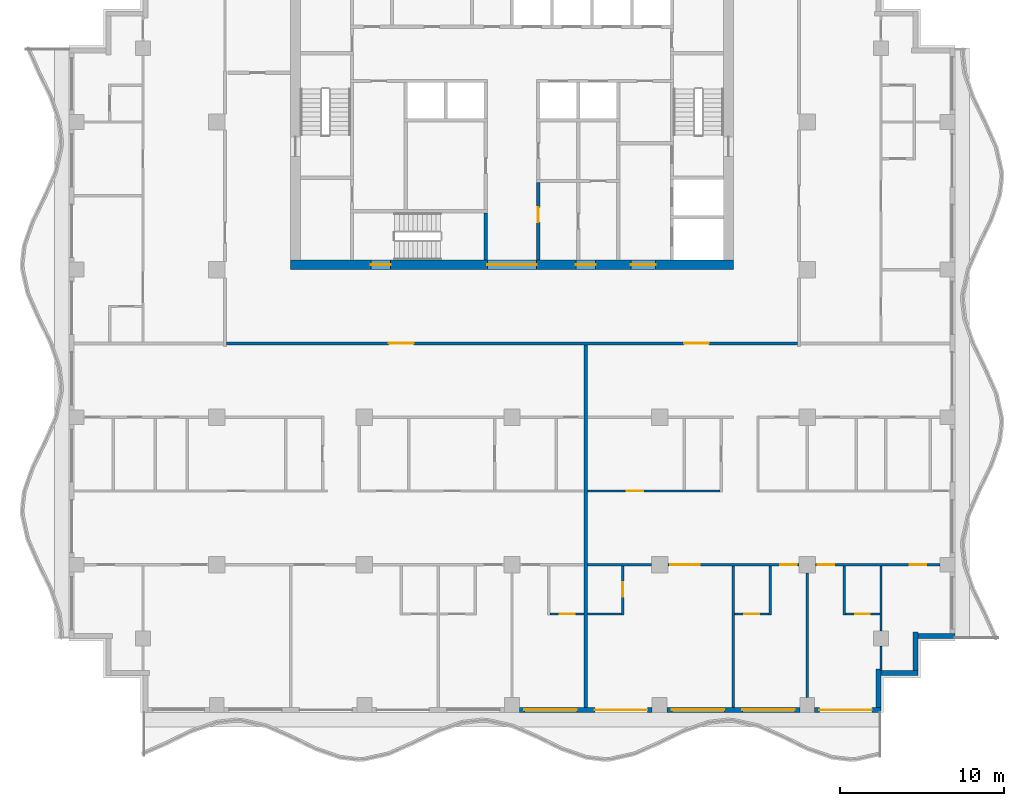
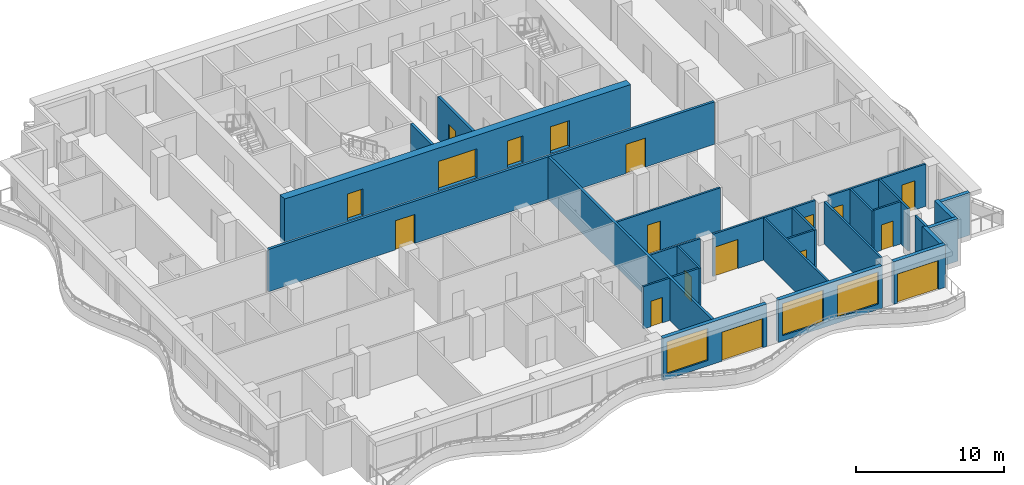
# One storey, part 3 of 11: 27 walls, 18 doors, 3 windows, 21 openings.
"""IFC4 building model written with IfcOpenShell, lengths in metres."""

from ifc_helpers import new_model, si_unit, direction, frame, frame_2d, origin, place, context, subcontext, project, spatial, rectangle, extrude, material, layer, layer_set, type_object, element, fill, save


model = new_model("IFC4")

# Units and contexts
model_context = context("Model", 3, precision=1e-05, world=origin(), true_north=direction((0.0, 1.0)))
body_context = subcontext(model_context, "Body", "Model", "MODEL_VIEW")
ifc_project = project(units=[si_unit("LENGTHUNIT", "METRE"), si_unit("AREAUNIT", "SQUARE_METRE"), si_unit("VOLUMEUNIT", "CUBIC_METRE"), si_unit("PLANEANGLEUNIT", "RADIAN"), si_unit("MASSUNIT", "GRAM", prefix="KILO")], contexts=[model_context])

# Site, building, storey
site_placement = place(None, origin())
site = spatial("IfcSite", under=ifc_project, at=site_placement, CompositionType="ELEMENT")
building_placement = place(site_placement, origin())
building = spatial("IfcBuilding", under=site, at=building_placement, Name="Orbiselva Terraces", CompositionType="ELEMENT")
storey_placement = place(building_placement, frame((0.0, 0.0, 254.0)))
storey = spatial("IfcBuildingStorey", under=building, at=storey_placement, Name="L64", CompositionType="ELEMENT", Elevation=254.0)

# Wall, openings, doors
ifc_material_1 = material(Name="Concrete C80/95", Category="concrete")
ifc_layer_1 = layer(ifc_material_1, 0.6)
ifc_layer_set_1 = layer_set([ifc_layer_1], Name="Concrete C80/95")
wall_type_1 = type_object("IfcWallType", Name="CORE WALL 600", PredefinedType="SHEAR", material=ifc_layer_set_1)
wall_1_placement = place(storey_placement, frame((-13.5, 4.8, -0.3), z_axis=(0.0, 0.0, 1.0), x_axis=(1.0, 0.0, 0.0)))
wall_1 = element("IfcWall", 1, at=wall_1_placement, inside=storey, type_object=wall_type_1, Name="Core wall L64 south", PredefinedType="SHEAR", context=body_context, shape_type="SweptSolid", body=[
    extrude(rectangle(XDim=27.0, YDim=0.6, at=frame_2d((13.5, 0.0))), origin(), (0.0, 0.0, 1.0), 3.8),
])
opening_1_placement = place(wall_1_placement, frame((12.0, 0.0, 0.3)))
opening_1 = element("IfcOpeningElement", 2, at=opening_1_placement, cuts=wall_1, Name="Opening DL3000", PredefinedType="OPENING", context=body_context, shape_type="SweptSolid", body=[
    extrude(rectangle(XDim=3.0, YDim=2.4, at=frame_2d((1.5, 1.2))), frame((0.0, 0.31, 0.0), z_axis=(0.0, -1.0, 0.0), x_axis=(1.0, 0.0, 0.0)), (0.0, 0.0, 1.0), 0.62),
])
opening_2_placement = place(wall_1_placement, frame((4.9, 0.0, 0.3)))
opening_2 = element("IfcOpeningElement", 3, at=opening_2_placement, cuts=wall_1, Name="Opening DS1200", PredefinedType="OPENING", context=body_context, shape_type="SweptSolid", body=[
    extrude(rectangle(XDim=1.2, YDim=2.2, at=frame_2d((0.6, 1.1))), frame((0.0, 0.31, 0.0), z_axis=(0.0, -1.0, 0.0), x_axis=(1.0, 0.0, 0.0)), (0.0, 0.0, 1.0), 0.62),
])
opening_3_placement = place(wall_1_placement, frame((20.75, 0.0, 0.3)))
opening_3 = element("IfcOpeningElement", 4, at=opening_3_placement, cuts=wall_1, Name="Opening DF1500", PredefinedType="OPENING", context=body_context, shape_type="SweptSolid", body=[
    extrude(rectangle(XDim=1.5, YDim=2.2, at=frame_2d((0.75, 1.1))), frame((0.0, 0.31, 0.0), z_axis=(0.0, -1.0, 0.0), x_axis=(1.0, 0.0, 0.0)), (0.0, 0.0, 1.0), 0.62),
])
opening_4_placement = place(wall_1_placement, frame((17.4, 0.0, 0.3)))
opening_4 = element("IfcOpeningElement", 5, at=opening_4_placement, cuts=wall_1, Name="Opening DV1200", PredefinedType="OPENING", context=body_context, shape_type="SweptSolid", body=[
    extrude(rectangle(XDim=1.2, YDim=2.2, at=frame_2d((0.6, 1.1))), frame((0.0, 0.31, 0.0), z_axis=(0.0, -1.0, 0.0), x_axis=(1.0, 0.0, 0.0)), (0.0, 0.0, 1.0), 0.62),
])
ifc_material_2 = material(Name="Steel fire door", Category="steel")
door_type_1 = type_object("IfcDoorType", Name="FFL DOOR 1500", OperationType="DOUBLE_DOOR_SINGLE_SWING", PredefinedType="DOOR", material=ifc_material_2)
door_1_placement = place(opening_3_placement, frame((1.5, 0.0, 0.0), z_axis=(0.0, 0.0, 1.0), x_axis=(-1.0, 0.0, 0.0)))
door_1 = element("IfcDoor", 6, at=door_1_placement, inside=storey, type_object=door_type_1, Name="L64 FIRE-FIGHTING LOBBY door", OperationType="DOUBLE_DOOR_SINGLE_SWING", OverallHeight=2.2, OverallWidth=1.5, PredefinedType="DOOR", context=body_context, shape_type="SweptSolid", body=[
    extrude(rectangle(XDim=1.5, YDim=2.2, at=frame_2d((0.75, 1.1))), frame((0.0, 0.025, 0.0), z_axis=(0.0, -1.0, 0.0), x_axis=(1.0, 0.0, 0.0)), (0.0, 0.0, 1.0), 0.05),
])
fill(opening_3, door_1)
door_type_2 = type_object("IfcDoorType", Name="LOBBY DOOR 3000", OperationType="DOUBLE_DOOR_SINGLE_SWING", PredefinedType="DOOR", material=ifc_material_2)
door_2_placement = place(opening_1_placement, frame((3.0, 0.0, 0.0), z_axis=(0.0, 0.0, 1.0), x_axis=(-1.0, 0.0, 0.0)))
door_2 = element("IfcDoor", 7, at=door_2_placement, inside=storey, type_object=door_type_2, Name="L64 LIFT LOBBY door", OperationType="DOUBLE_DOOR_SINGLE_SWING", OverallHeight=2.4, OverallWidth=3.0, PredefinedType="DOOR", context=body_context, shape_type="SweptSolid", body=[
    extrude(rectangle(XDim=3.0, YDim=2.4, at=frame_2d((1.5, 1.2))), frame((0.0, 0.025, 0.0), z_axis=(0.0, -1.0, 0.0), x_axis=(1.0, 0.0, 0.0)), (0.0, 0.0, 1.0), 0.05),
])
fill(opening_1, door_2)
door_type_3 = type_object("IfcDoorType", Name="SERVICE DOOR 1200", OperationType="NOTDEFINED", PredefinedType="DOOR", material=ifc_material_2)
door_3_placement = place(opening_4_placement, frame((1.2, 0.0, 0.0), z_axis=(0.0, 0.0, 1.0), x_axis=(-1.0, 0.0, 0.0)))
door_3 = element("IfcDoor", 8, at=door_3_placement, inside=storey, type_object=door_type_3, Name="L64 SPARE PARTS STORE door", OperationType="SINGLE_SWING_RIGHT", OverallHeight=2.2, OverallWidth=1.2, PredefinedType="DOOR", context=body_context, shape_type="SweptSolid", body=[
    extrude(rectangle(XDim=1.2, YDim=2.2, at=frame_2d((0.6, 1.1))), frame((0.0, 0.025, 0.0), z_axis=(0.0, -1.0, 0.0), x_axis=(1.0, 0.0, 0.0)), (0.0, 0.0, 1.0), 0.05),
])
fill(opening_4, door_3)
door_type_4 = type_object("IfcDoorType", Name="STAIR DOOR 1200", OperationType="NOTDEFINED", PredefinedType="DOOR", material=ifc_material_2)
door_4_placement = place(opening_2_placement, frame((1.2, 0.0, 0.0), z_axis=(0.0, 0.0, 1.0), x_axis=(-1.0, 0.0, 0.0)))
door_4 = element("IfcDoor", 9, at=door_4_placement, inside=storey, type_object=door_type_4, Name="L64 EXIT STAIR S3 door", OperationType="SINGLE_SWING_LEFT", OverallHeight=2.2, OverallWidth=1.2, PredefinedType="DOOR", context=body_context, shape_type="SweptSolid", body=[
    extrude(rectangle(XDim=1.2, YDim=2.2, at=frame_2d((0.6, 1.1))), frame((0.0, 0.025, 0.0), z_axis=(0.0, -1.0, 0.0), x_axis=(1.0, 0.0, 0.0)), (0.0, 0.0, 1.0), 0.05),
])
fill(opening_2, door_4)

# Wall
ifc_material_3 = material(Name="Concrete C60/75", Category="concrete")
ifc_layer_2 = layer(ifc_material_3, 0.2)
ifc_layer_set_2 = layer_set([ifc_layer_2], Name="Concrete C60/75")
wall_type_2 = type_object("IfcWallType", Name="CORE-WALL-SHEAR-200", PredefinedType="SHEAR", material=ifc_layer_set_2)
wall_2_placement = place(storey_placement, frame((-1.6, 5.1, 0.0), z_axis=(0.0, 0.0, 1.0), x_axis=(0.0, 1.0, 0.0)))
element("IfcWall", 10, at=wall_2_placement, inside=storey, type_object=wall_type_2, Name="L64 core wall 18", PredefinedType="SHEAR", context=body_context, shape_type="SweptSolid", body=[
    extrude(rectangle(XDim=2.85, YDim=0.2, at=frame_2d((1.425, 0.0))), origin(), (0.0, 0.0, 1.0), 3.5),
])

# Wall, opening, door
wall_3_placement = place(storey_placement, frame((1.6, 9.8, 0.0), z_axis=(0.0, 0.0, 1.0), x_axis=(0.0, -1.0, 0.0)))
wall_3 = element("IfcWall", 11, at=wall_3_placement, inside=storey, type_object=wall_type_2, Name="L64 core wall 22", PredefinedType="SHEAR", context=body_context, shape_type="SweptSolid", body=[
    extrude(rectangle(XDim=4.7, YDim=0.2, at=frame_2d((2.35, 0.0))), origin(), (0.0, 0.0, 1.0), 3.5),
])
opening_5_placement = place(wall_3_placement, frame((1.5, 0.0, 0.0)))
opening_5 = element("IfcOpeningElement", 12, at=opening_5_placement, cuts=wall_3, Name="Opening DR900", PredefinedType="OPENING", context=body_context, shape_type="SweptSolid", body=[
    extrude(rectangle(XDim=0.9, YDim=2.1, at=frame_2d((0.45, 1.05))), frame((0.0, 0.11, 0.0), z_axis=(0.0, -1.0, 0.0), x_axis=(1.0, 0.0, 0.0)), (0.0, 0.0, 1.0), 0.22),
])
door_type_5 = type_object("IfcDoorType", Name="ROOM DOOR 900", OperationType="NOTDEFINED", PredefinedType="DOOR", material=ifc_material_2)
door_5_placement = place(opening_5_placement, origin())
door_5 = element("IfcDoor", 13, at=door_5_placement, inside=storey, type_object=door_type_5, Name="L64 ELECTRICAL ROOM door", OperationType="SINGLE_SWING_LEFT", OverallHeight=2.1, OverallWidth=0.9, PredefinedType="DOOR", context=body_context, shape_type="SweptSolid", body=[
    extrude(rectangle(XDim=0.9, YDim=2.1, at=frame_2d((0.45, 1.05))), frame((0.0, 0.025, 0.0), z_axis=(0.0, -1.0, 0.0), x_axis=(1.0, 0.0, 0.0)), (0.0, 0.0, 1.0), 0.05),
])
fill(opening_5, door_5)

# Wall, openings, door, window
ifc_material_4 = material(Name="Terracotta cladding on masonry backing", Category="masonry")
ifc_layer_3 = layer(ifc_material_4, 0.3)
ifc_layer_set_3 = layer_set([ifc_layer_3], Name="Terracotta cladding on masonry backing")
wall_type_3 = type_object("IfcWallType", Name="ENV-WALL-TERRACOTTA-300", PredefinedType="SOLIDWALL", material=ifc_layer_set_3)
wall_4_placement = place(storey_placement, frame((8.55, -22.35, 0.0), z_axis=(0.0, 0.0, 1.0), x_axis=(-1.0, 0.0, 0.0)))
wall_4 = element("IfcWall", 14, at=wall_4_placement, inside=storey, type_object=wall_type_3, Name="Facade wall L64 S", PredefinedType="SOLIDWALL", context=body_context, shape_type="SweptSolid", body=[
    extrude(rectangle(XDim=8.1, YDim=0.3, at=frame_2d((4.05, 0.0))), origin(), (0.0, 0.0, 1.0), 3.5),
])
opening_6_placement = place(wall_4_placement, frame((4.6, 0.0, 0.45)))
opening_6 = element("IfcOpeningElement", 15, at=opening_6_placement, cuts=wall_4, Name="Opening WN17", PredefinedType="OPENING", context=body_context, shape_type="SweptSolid", body=[
    extrude(rectangle(XDim=3.2, YDim=2.65, at=frame_2d((1.6, 1.325))), frame((0.0, 0.16, 0.0), z_axis=(0.0, -1.0, 0.0), x_axis=(1.0, 0.0, 0.0)), (0.0, 0.0, 1.0), 0.32),
])
opening_7_placement = place(wall_4_placement, frame((0.3, 0.0, 0.0)))
opening_7 = element("IfcOpeningElement", 16, at=opening_7_placement, cuts=wall_4, Name="Opening Z5-B-E03", PredefinedType="OPENING", context=body_context, shape_type="SweptSolid", body=[
    extrude(rectangle(XDim=3.2, YDim=2.4, at=frame_2d((1.6, 1.2))), frame((0.0, 0.16, 0.0), z_axis=(0.0, -1.0, 0.0), x_axis=(1.0, 0.0, 0.0)), (0.0, 0.0, 1.0), 0.32),
])
ifc_material_5 = material(Name="Clear low-e glazing in aluminium frame", Category="aluminium")
door_type_6 = type_object("IfcDoorType", Name="BALCONY DOOR 3200 X 2400", OperationType="DOUBLE_DOOR_SLIDING", PredefinedType="DOOR", material=ifc_material_5)
door_6_placement = place(opening_7_placement, origin())
door_6 = element("IfcDoor", 17, at=door_6_placement, inside=storey, type_object=door_type_6, Name="Z5-B-E03", OperationType="SINGLE_SWING_LEFT", OverallHeight=2.4, OverallWidth=3.2, PredefinedType="DOOR", context=body_context, shape_type="SweptSolid", body=[
    extrude(rectangle(XDim=3.2, YDim=2.4, at=frame_2d((1.6, 1.2))), frame((0.0, 0.025, 0.0), z_axis=(0.0, -1.0, 0.0), x_axis=(1.0, 0.0, 0.0)), (0.0, 0.0, 1.0), 0.05),
])
fill(opening_7, door_6)
window_type = type_object("IfcWindowType", Name="WINDOW 3200 X 2650 S450", PartitioningType="TRIPLE_PANEL_VERTICAL", PredefinedType="WINDOW", material=ifc_material_5)
window_1_placement = place(opening_6_placement, origin())
window_1 = element("IfcWindow", 18, at=window_1_placement, inside=storey, type_object=window_type, Name="Window L64 S", OverallHeight=2.65, OverallWidth=3.2, PartitioningType="SINGLE_PANEL", PredefinedType="WINDOW", context=body_context, shape_type="SweptSolid", body=[
    extrude(rectangle(XDim=3.2, YDim=2.65, at=frame_2d((1.6, 1.325))), frame((0.0, 0.03, 0.0), z_axis=(0.0, -1.0, 0.0), x_axis=(1.0, 0.0, 0.0)), (0.0, 0.0, 1.0), 0.06),
])
fill(opening_6, window_1)

# Wall, openings, windows
wall_5_placement = place(storey_placement, frame((17.55, -22.35, 0.0), z_axis=(0.0, 0.0, 1.0), x_axis=(-1.0, 0.0, 0.0)))
wall_5 = element("IfcWall", 19, at=wall_5_placement, inside=storey, type_object=wall_type_3, Name="Facade wall L64 S", PredefinedType="SOLIDWALL", context=body_context, shape_type="SweptSolid", body=[
    extrude(rectangle(XDim=8.1, YDim=0.3, at=frame_2d((4.05, 0.0))), origin(), (0.0, 0.0, 1.0), 3.5),
])
opening_8_placement = place(wall_5_placement, frame((4.6, 0.0, 0.45)))
opening_8 = element("IfcOpeningElement", 20, at=opening_8_placement, cuts=wall_5, Name="Opening WN17", PredefinedType="OPENING", context=body_context, shape_type="SweptSolid", body=[
    extrude(rectangle(XDim=3.2, YDim=2.65, at=frame_2d((1.6, 1.325))), frame((0.0, 0.16, 0.0), z_axis=(0.0, -1.0, 0.0), x_axis=(1.0, 0.0, 0.0)), (0.0, 0.0, 1.0), 0.32),
])
opening_9_placement = place(wall_5_placement, frame((0.3, 0.0, 0.45)))
opening_9 = element("IfcOpeningElement", 21, at=opening_9_placement, cuts=wall_5, Name="Opening WN17", PredefinedType="OPENING", context=body_context, shape_type="SweptSolid", body=[
    extrude(rectangle(XDim=3.2, YDim=2.65, at=frame_2d((1.6, 1.325))), frame((0.0, 0.16, 0.0), z_axis=(0.0, -1.0, 0.0), x_axis=(1.0, 0.0, 0.0)), (0.0, 0.0, 1.0), 0.32),
])
window_2_placement = place(opening_8_placement, origin())
window_2 = element("IfcWindow", 22, at=window_2_placement, inside=storey, type_object=window_type, Name="Window L64 S", OverallHeight=2.65, OverallWidth=3.2, PartitioningType="SINGLE_PANEL", PredefinedType="WINDOW", context=body_context, shape_type="SweptSolid", body=[
    extrude(rectangle(XDim=3.2, YDim=2.65, at=frame_2d((1.6, 1.325))), frame((0.0, 0.03, 0.0), z_axis=(0.0, -1.0, 0.0), x_axis=(1.0, 0.0, 0.0)), (0.0, 0.0, 1.0), 0.06),
])
fill(opening_8, window_2)
window_3_placement = place(opening_9_placement, origin())
window_3 = element("IfcWindow", 23, at=window_3_placement, inside=storey, type_object=window_type, Name="Window L64 S", OverallHeight=2.65, OverallWidth=3.2, PartitioningType="SINGLE_PANEL", PredefinedType="WINDOW", context=body_context, shape_type="SweptSolid", body=[
    extrude(rectangle(XDim=3.2, YDim=2.65, at=frame_2d((1.6, 1.325))), frame((0.0, 0.03, 0.0), z_axis=(0.0, -1.0, 0.0), x_axis=(1.0, 0.0, 0.0)), (0.0, 0.0, 1.0), 0.06),
])
fill(opening_9, window_3)

# Wall, opening, door
wall_6_placement = place(storey_placement, frame((22.5, -22.35, 0.0), z_axis=(0.0, 0.0, 1.0), x_axis=(-1.0, 0.0, 0.0)))
wall_6 = element("IfcWall", 24, at=wall_6_placement, inside=storey, type_object=wall_type_3, Name="Facade wall L64 S", PredefinedType="SOLIDWALL", context=body_context, shape_type="SweptSolid", body=[
    extrude(rectangle(XDim=4.05, YDim=0.3, at=frame_2d((2.025, 0.0))), origin(), (0.0, 0.0, 1.0), 3.5),
])
opening_10_placement = place(wall_6_placement, frame((0.55, 0.0, 0.0)))
opening_10 = element("IfcOpeningElement", 25, at=opening_10_placement, cuts=wall_6, Name="Opening Z5-B-E04", PredefinedType="OPENING", context=body_context, shape_type="SweptSolid", body=[
    extrude(rectangle(XDim=3.2, YDim=2.4, at=frame_2d((1.6, 1.2))), frame((0.0, 0.16, 0.0), z_axis=(0.0, -1.0, 0.0), x_axis=(1.0, 0.0, 0.0)), (0.0, 0.0, 1.0), 0.32),
])
door_7_placement = place(opening_10_placement, origin())
door_7 = element("IfcDoor", 26, at=door_7_placement, inside=storey, type_object=door_type_6, Name="Z5-B-E04", OperationType="SINGLE_SWING_LEFT", OverallHeight=2.4, OverallWidth=3.2, PredefinedType="DOOR", context=body_context, shape_type="SweptSolid", body=[
    extrude(rectangle(XDim=3.2, YDim=2.4, at=frame_2d((1.6, 1.2))), frame((0.0, 0.025, 0.0), z_axis=(0.0, -1.0, 0.0), x_axis=(1.0, 0.0, 0.0)), (0.0, 0.0, 1.0), 0.05),
])
fill(opening_10, door_7)

# Walls
wall_7_placement = place(storey_placement, frame((22.35, -19.85, 0.0), z_axis=(0.0, 0.0, 1.0), x_axis=(0.0, -1.0, 0.0)))
element("IfcWall", 27, at=wall_7_placement, inside=storey, type_object=wall_type_3, Name="Facade wall L64 STEP", PredefinedType="SOLIDWALL", context=body_context, shape_type="SweptSolid", body=[
    extrude(rectangle(XDim=2.35, YDim=0.3, at=frame_2d((1.175, 0.0))), origin(), (0.0, 0.0, 1.0), 3.5),
])
wall_8_placement = place(storey_placement, frame((24.75, -20.1, 0.0), z_axis=(0.0, 0.0, 1.0), x_axis=(-1.0, 0.0, 0.0)))
element("IfcWall", 28, at=wall_8_placement, inside=storey, type_object=wall_type_3, Name="Facade wall L64 STEP", PredefinedType="SOLIDWALL", context=body_context, shape_type="SweptSolid", body=[
    extrude(rectangle(XDim=2.25, YDim=0.3, at=frame_2d((1.125, 0.0))), origin(), (0.0, 0.0, 1.0), 3.5),
])
wall_9_placement = place(storey_placement, frame((24.6, -17.6, 0.0), z_axis=(0.0, 0.0, 1.0), x_axis=(0.0, -1.0, 0.0)))
element("IfcWall", 29, at=wall_9_placement, inside=storey, type_object=wall_type_3, Name="Facade wall L64 STEP", PredefinedType="SOLIDWALL", context=body_context, shape_type="SweptSolid", body=[
    extrude(rectangle(XDim=2.35, YDim=0.3, at=frame_2d((1.175, 0.0))), origin(), (0.0, 0.0, 1.0), 3.5),
])
wall_10_placement = place(storey_placement, frame((27.0, -17.85, 0.0), z_axis=(0.0, 0.0, 1.0), x_axis=(-1.0, 0.0, 0.0)))
element("IfcWall", 30, at=wall_10_placement, inside=storey, type_object=wall_type_3, Name="Facade wall L64 STEP", PredefinedType="SOLIDWALL", context=body_context, shape_type="SweptSolid", body=[
    extrude(rectangle(XDim=2.25, YDim=0.3, at=frame_2d((1.125, 0.0))), origin(), (0.0, 0.0, 1.0), 3.5),
])

# Wall, openings, doors
ifc_material_6 = material(Name="Plasterboard on steel stud partition", Category="steel")
ifc_layer_4 = layer(ifc_material_6, 0.2)
ifc_layer_set_4 = layer_set([ifc_layer_4], Name="Plasterboard on steel stud partition")
wall_type_4 = type_object("IfcWallType", Name="UNIT-ENTRANCE-WALL-200", PredefinedType="PARTITIONING", material=ifc_layer_set_4)
wall_11_placement = place(storey_placement, frame((17.4, 0.0, 0.0), z_axis=(0.0, 0.0, 1.0), x_axis=(-1.0, 0.0, 0.0)))
wall_11 = element("IfcWall", 31, at=wall_11_placement, inside=storey, type_object=wall_type_4, Name="PARTITION L64-026", PredefinedType="PARTITIONING", context=body_context, shape_type="SweptSolid", body=[
    extrude(rectangle(XDim=34.8, YDim=0.2, at=frame_2d((17.4, 0.0))), origin(), (0.0, 0.0, 1.0), 3.5),
])
opening_11_placement = place(wall_11_placement, frame((23.4, 0.0, 0.0)))
opening_11 = element("IfcOpeningElement", 32, at=opening_11_placement, cuts=wall_11, Name="Opening Z5-B-14", PredefinedType="OPENING", context=body_context, shape_type="SweptSolid", body=[
    extrude(rectangle(XDim=1.5, YDim=2.4, at=frame_2d((0.75, 1.2))), frame((0.0, 0.11, 0.0), z_axis=(0.0, -1.0, 0.0), x_axis=(1.0, 0.0, 0.0)), (0.0, 0.0, 1.0), 0.22),
])
opening_12_placement = place(wall_11_placement, frame((5.4, 0.0, 0.0)))
opening_12 = element("IfcOpeningElement", 33, at=opening_12_placement, cuts=wall_11, Name="Opening Z5-B-32", PredefinedType="OPENING", context=body_context, shape_type="SweptSolid", body=[
    extrude(rectangle(XDim=1.5, YDim=2.4, at=frame_2d((0.75, 1.2))), frame((0.0, 0.11, 0.0), z_axis=(0.0, -1.0, 0.0), x_axis=(1.0, 0.0, 0.0)), (0.0, 0.0, 1.0), 0.22),
])
ifc_material_7 = material(Name="Painted timber door leaf", Category="wood")
door_type_7 = type_object("IfcDoorType", Name="ENTRANCE DOUBLE DOOR 1500", OperationType="NOTDEFINED", PredefinedType="DOOR", material=ifc_material_7)
door_8_placement = place(opening_11_placement, origin())
door_8 = element("IfcDoor", 34, at=door_8_placement, inside=storey, type_object=door_type_7, Name="Z5-B-14", OperationType="DOUBLE_DOOR_SINGLE_SWING", OverallHeight=2.4, OverallWidth=1.5, PredefinedType="DOOR", context=body_context, shape_type="SweptSolid", body=[
    extrude(rectangle(XDim=1.5, YDim=2.4, at=frame_2d((0.75, 1.2))), frame((0.0, 0.025, 0.0), z_axis=(0.0, -1.0, 0.0), x_axis=(1.0, 0.0, 0.0)), (0.0, 0.0, 1.0), 0.05),
])
fill(opening_11, door_8)
door_9_placement = place(opening_12_placement, origin())
door_9 = element("IfcDoor", 35, at=door_9_placement, inside=storey, type_object=door_type_7, Name="Z5-B-32", OperationType="DOUBLE_DOOR_SINGLE_SWING", OverallHeight=2.4, OverallWidth=1.5, PredefinedType="DOOR", context=body_context, shape_type="SweptSolid", body=[
    extrude(rectangle(XDim=1.5, YDim=2.4, at=frame_2d((0.75, 1.2))), frame((0.0, 0.025, 0.0), z_axis=(0.0, -1.0, 0.0), x_axis=(1.0, 0.0, 0.0)), (0.0, 0.0, 1.0), 0.05),
])
fill(opening_12, door_9)

# Wall, opening, door
ifc_layer_5 = layer(ifc_material_6, 0.15)
ifc_layer_set_5 = layer_set([ifc_layer_5], Name="Plasterboard on steel stud partition")
wall_type_5 = type_object("IfcWallType", Name="UNIT-PARTITION-150", PredefinedType="PARTITIONING", material=ifc_layer_set_5)
wall_12_placement = place(storey_placement, frame((2.325, -16.5, 0.0), z_axis=(0.0, 0.0, 1.0), x_axis=(1.0, 0.0, 0.0)))
wall_12 = element("IfcWall", 36, at=wall_12_placement, inside=storey, type_object=wall_type_5, Name="PARTITION L64-003", PredefinedType="PARTITIONING", context=body_context, shape_type="SweptSolid", body=[
    extrude(rectangle(XDim=2.075, YDim=0.15, at=frame_2d((1.0375, 0.0))), origin(), (0.0, 0.0, 1.0), 3.5),
])
opening_13_placement = place(wall_12_placement, frame((0.6, 0.0, 0.0)))
opening_13 = element("IfcOpeningElement", 37, at=opening_13_placement, cuts=wall_12, Name="Opening Z5-B-31", PredefinedType="OPENING", context=body_context, shape_type="SweptSolid", body=[
    extrude(rectangle(XDim=0.9, YDim=2.1, at=frame_2d((0.45, 1.05))), frame((0.0, 0.085, 0.0), z_axis=(0.0, -1.0, 0.0), x_axis=(1.0, 0.0, 0.0)), (0.0, 0.0, 1.0), 0.17),
])
door_type_8 = type_object("IfcDoorType", Name="BATH DOOR 900", OperationType="NOTDEFINED", PredefinedType="DOOR", material=ifc_material_7)
door_10_placement = place(opening_13_placement, origin())
door_10 = element("IfcDoor", 38, at=door_10_placement, inside=storey, type_object=door_type_8, Name="Z5-B-31", OperationType="SINGLE_SWING_RIGHT", OverallHeight=2.1, OverallWidth=0.9, PredefinedType="DOOR", context=body_context, shape_type="SweptSolid", body=[
    extrude(rectangle(XDim=0.9, YDim=2.1, at=frame_2d((0.45, 1.05))), frame((0.0, 0.025, 0.0), z_axis=(0.0, -1.0, 0.0), x_axis=(1.0, 0.0, 0.0)), (0.0, 0.0, 1.0), 0.05),
])
fill(opening_13, door_10)

# Wall
wall_13_placement = place(storey_placement, frame((4.6, -16.5, 0.0), z_axis=(0.0, 0.0, 1.0), x_axis=(1.0, 0.0, 0.0)))
element("IfcWall", 39, at=wall_13_placement, inside=storey, type_object=wall_type_5, Name="PARTITION L64-004", PredefinedType="PARTITIONING", context=body_context, shape_type="SweptSolid", body=[
    extrude(rectangle(XDim=2.075, YDim=0.15, at=frame_2d((1.0375, 0.0))), origin(), (0.0, 0.0, 1.0), 3.5),
])

# Wall, opening, door
wall_14_placement = place(storey_placement, frame((13.575, -16.5, 0.0), z_axis=(0.0, 0.0, 1.0), x_axis=(1.0, 0.0, 0.0)))
wall_14 = element("IfcWall", 40, at=wall_14_placement, inside=storey, type_object=wall_type_5, Name="PARTITION L64-005", PredefinedType="PARTITIONING", context=body_context, shape_type="SweptSolid", body=[
    extrude(rectangle(XDim=2.1, YDim=0.15, at=frame_2d((1.05, 0.0))), origin(), (0.0, 0.0, 1.0), 3.5),
])
opening_14_placement = place(wall_14_placement, frame((0.6, 0.0, 0.0)))
opening_14 = element("IfcOpeningElement", 41, at=opening_14_placement, cuts=wall_14, Name="Opening Z5-B-43", PredefinedType="OPENING", context=body_context, shape_type="SweptSolid", body=[
    extrude(rectangle(XDim=0.9, YDim=2.1, at=frame_2d((0.45, 1.05))), frame((0.0, 0.085, 0.0), z_axis=(0.0, -1.0, 0.0), x_axis=(1.0, 0.0, 0.0)), (0.0, 0.0, 1.0), 0.17),
])
door_11_placement = place(opening_14_placement, origin())
door_11 = element("IfcDoor", 42, at=door_11_placement, inside=storey, type_object=door_type_8, Name="Z5-B-43", OperationType="SINGLE_SWING_LEFT", OverallHeight=2.1, OverallWidth=0.9, PredefinedType="DOOR", context=body_context, shape_type="SweptSolid", body=[
    extrude(rectangle(XDim=0.9, YDim=2.1, at=frame_2d((0.45, 1.05))), frame((0.0, 0.025, 0.0), z_axis=(0.0, -1.0, 0.0), x_axis=(1.0, 0.0, 0.0)), (0.0, 0.0, 1.0), 0.05),
])
fill(opening_14, door_11)

wall_15_placement = place(storey_placement, frame((20.325, -16.5, 0.0), z_axis=(0.0, 0.0, 1.0), x_axis=(1.0, 0.0, 0.0)))
wall_15 = element("IfcWall", 43, at=wall_15_placement, inside=storey, type_object=wall_type_5, Name="PARTITION L64-006", PredefinedType="PARTITIONING", context=body_context, shape_type="SweptSolid", body=[
    extrude(rectangle(XDim=2.1, YDim=0.15, at=frame_2d((1.05, 0.0))), origin(), (0.0, 0.0, 1.0), 3.5),
])
opening_15_placement = place(wall_15_placement, frame((0.6, 0.0, 0.0)))
opening_15 = element("IfcOpeningElement", 44, at=opening_15_placement, cuts=wall_15, Name="Opening Z5-B-45", PredefinedType="OPENING", context=body_context, shape_type="SweptSolid", body=[
    extrude(rectangle(XDim=0.9, YDim=2.1, at=frame_2d((0.45, 1.05))), frame((0.0, 0.085, 0.0), z_axis=(0.0, -1.0, 0.0), x_axis=(1.0, 0.0, 0.0)), (0.0, 0.0, 1.0), 0.17),
])
door_12_placement = place(opening_15_placement, origin())
door_12 = element("IfcDoor", 45, at=door_12_placement, inside=storey, type_object=door_type_8, Name="Z5-B-45", OperationType="SINGLE_SWING_LEFT", OverallHeight=2.1, OverallWidth=0.9, PredefinedType="DOOR", context=body_context, shape_type="SweptSolid", body=[
    extrude(rectangle(XDim=0.9, YDim=2.1, at=frame_2d((0.45, 1.05))), frame((0.0, 0.025, 0.0), z_axis=(0.0, -1.0, 0.0), x_axis=(1.0, 0.0, 0.0)), (0.0, 0.0, 1.0), 0.05),
])
fill(opening_15, door_12)

# Wall
wall_16_placement = place(storey_placement, frame((4.6, -13.5, 0.0), z_axis=(0.0, 0.0, 1.0), x_axis=(1.0, 0.0, 0.0)))
element("IfcWall", 46, at=wall_16_placement, inside=storey, type_object=wall_type_5, Name="PARTITION L64-011", PredefinedType="PARTITIONING", context=body_context, shape_type="SweptSolid", body=[
    extrude(rectangle(XDim=3.9, YDim=0.15, at=frame_2d((1.95, 0.0))), origin(), (0.0, 0.0, 1.0), 3.5),
])

# Wall, openings, doors
wall_17_placement = place(storey_placement, frame((17.5, -13.5, 0.0), z_axis=(0.0, 0.0, 1.0), x_axis=(-1.0, 0.0, 0.0)))
wall_17 = element("IfcWall", 47, at=wall_17_placement, inside=storey, type_object=wall_type_5, Name="PARTITION L64-012", PredefinedType="PARTITIONING", context=body_context, shape_type="SweptSolid", body=[
    extrude(rectangle(XDim=8.0, YDim=0.15, at=frame_2d((4.0, 0.0))), origin(), (0.0, 0.0, 1.0), 3.5),
])
opening_16_placement = place(wall_17_placement, frame((6.05, 0.0, 0.0)))
opening_16 = element("IfcOpeningElement", 48, at=opening_16_placement, cuts=wall_17, Name="Opening Z5-B-40", PredefinedType="OPENING", context=body_context, shape_type="SweptSolid", body=[
    extrude(rectangle(XDim=1.8, YDim=2.4, at=frame_2d((0.9, 1.2))), frame((0.0, 0.085, 0.0), z_axis=(0.0, -1.0, 0.0), x_axis=(1.0, 0.0, 0.0)), (0.0, 0.0, 1.0), 0.17),
])
opening_17_placement = place(wall_17_placement, frame((0.15, 0.0, 0.0)))
opening_17 = element("IfcOpeningElement", 49, at=opening_17_placement, cuts=wall_17, Name="Opening Z5-B-42", PredefinedType="OPENING", context=body_context, shape_type="SweptSolid", body=[
    extrude(rectangle(XDim=1.0, YDim=2.4, at=frame_2d((0.5, 1.2))), frame((0.0, 0.085, 0.0), z_axis=(0.0, -1.0, 0.0), x_axis=(1.0, 0.0, 0.0)), (0.0, 0.0, 1.0), 0.17),
])
door_type_9 = type_object("IfcDoorType", Name="DOUBLE DOOR 1800", OperationType="NOTDEFINED", PredefinedType="DOOR", material=ifc_material_7)
door_13_placement = place(opening_16_placement, origin())
door_13 = element("IfcDoor", 50, at=door_13_placement, inside=storey, type_object=door_type_9, Name="Z5-B-40", OperationType="DOUBLE_DOOR_SINGLE_SWING", OverallHeight=2.4, OverallWidth=1.8, PredefinedType="DOOR", context=body_context, shape_type="SweptSolid", body=[
    extrude(rectangle(XDim=1.8, YDim=2.4, at=frame_2d((0.9, 1.2))), frame((0.0, 0.025, 0.0), z_axis=(0.0, -1.0, 0.0), x_axis=(1.0, 0.0, 0.0)), (0.0, 0.0, 1.0), 0.05),
])
fill(opening_16, door_13)
door_type_10 = type_object("IfcDoorType", Name="ROOM DOOR 1000", OperationType="NOTDEFINED", PredefinedType="DOOR", material=ifc_material_7)
door_14_placement = place(opening_17_placement, origin())
door_14 = element("IfcDoor", 51, at=door_14_placement, inside=storey, type_object=door_type_10, Name="Z5-B-42", OperationType="SINGLE_SWING_LEFT", OverallHeight=2.4, OverallWidth=1.0, PredefinedType="DOOR", context=body_context, shape_type="SweptSolid", body=[
    extrude(rectangle(XDim=1.0, YDim=2.4, at=frame_2d((0.5, 1.2))), frame((0.0, 0.025, 0.0), z_axis=(0.0, -1.0, 0.0), x_axis=(1.0, 0.0, 0.0)), (0.0, 0.0, 1.0), 0.05),
])
fill(opening_17, door_14)

wall_18_placement = place(storey_placement, frame((26.1, -13.5, 0.0), z_axis=(0.0, 0.0, 1.0), x_axis=(-1.0, 0.0, 0.0)))
wall_18 = element("IfcWall", 52, at=wall_18_placement, inside=storey, type_object=wall_type_5, Name="PARTITION L64-013", PredefinedType="PARTITIONING", context=body_context, shape_type="SweptSolid", body=[
    extrude(rectangle(XDim=7.6, YDim=0.15, at=frame_2d((3.8, 0.0))), origin(), (0.0, 0.0, 1.0), 3.5),
])
opening_18_placement = place(wall_18_placement, frame((6.45, 0.0, 0.0)))
opening_18 = element("IfcOpeningElement", 53, at=opening_18_placement, cuts=wall_18, Name="Opening Z5-B-44", PredefinedType="OPENING", context=body_context, shape_type="SweptSolid", body=[
    extrude(rectangle(XDim=1.0, YDim=2.4, at=frame_2d((0.5, 1.2))), frame((0.0, 0.085, 0.0), z_axis=(0.0, -1.0, 0.0), x_axis=(1.0, 0.0, 0.0)), (0.0, 0.0, 1.0), 0.17),
])
opening_19_placement = place(wall_18_placement, frame((0.85, 0.0, 0.0)))
opening_19 = element("IfcOpeningElement", 54, at=opening_19_placement, cuts=wall_18, Name="Opening Z5-B-46", PredefinedType="OPENING", context=body_context, shape_type="SweptSolid", body=[
    extrude(rectangle(XDim=1.0, YDim=2.4, at=frame_2d((0.5, 1.2))), frame((0.0, 0.085, 0.0), z_axis=(0.0, -1.0, 0.0), x_axis=(1.0, 0.0, 0.0)), (0.0, 0.0, 1.0), 0.17),
])
door_15_placement = place(opening_18_placement, origin())
door_15 = element("IfcDoor", 55, at=door_15_placement, inside=storey, type_object=door_type_10, Name="Z5-B-44", OperationType="SINGLE_SWING_RIGHT", OverallHeight=2.4, OverallWidth=1.0, PredefinedType="DOOR", context=body_context, shape_type="SweptSolid", body=[
    extrude(rectangle(XDim=1.0, YDim=2.4, at=frame_2d((0.5, 1.2))), frame((0.0, 0.025, 0.0), z_axis=(0.0, -1.0, 0.0), x_axis=(1.0, 0.0, 0.0)), (0.0, 0.0, 1.0), 0.05),
])
fill(opening_18, door_15)
door_16_placement = place(opening_19_placement, origin())
door_16 = element("IfcDoor", 56, at=door_16_placement, inside=storey, type_object=door_type_10, Name="Z5-B-46", OperationType="SINGLE_SWING_LEFT", OverallHeight=2.4, OverallWidth=1.0, PredefinedType="DOOR", context=body_context, shape_type="SweptSolid", body=[
    extrude(rectangle(XDim=1.0, YDim=2.4, at=frame_2d((0.5, 1.2))), frame((0.0, 0.025, 0.0), z_axis=(0.0, -1.0, 0.0), x_axis=(1.0, 0.0, 0.0)), (0.0, 0.0, 1.0), 0.05),
])
fill(opening_19, door_16)

# Wall, opening, door
wall_19_placement = place(storey_placement, frame((4.6, -9.0, 0.0), z_axis=(0.0, 0.0, 1.0), x_axis=(1.0, 0.0, 0.0)))
wall_19 = element("IfcWall", 57, at=wall_19_placement, inside=storey, type_object=wall_type_5, Name="PARTITION L64-016", PredefinedType="PARTITIONING", context=body_context, shape_type="SweptSolid", body=[
    extrude(rectangle(XDim=8.075, YDim=0.15, at=frame_2d((4.0375, 0.0))), origin(), (0.0, 0.0, 1.0), 3.5),
])
opening_20_placement = place(wall_19_placement, frame((2.4, 0.0, 0.0)))
opening_20 = element("IfcOpeningElement", 58, at=opening_20_placement, cuts=wall_19, Name="Opening Z5-B-33", PredefinedType="OPENING", context=body_context, shape_type="SweptSolid", body=[
    extrude(rectangle(XDim=1.0, YDim=2.4, at=frame_2d((0.5, 1.2))), frame((0.0, 0.085, 0.0), z_axis=(0.0, -1.0, 0.0), x_axis=(1.0, 0.0, 0.0)), (0.0, 0.0, 1.0), 0.17),
])
door_17_placement = place(opening_20_placement, origin())
door_17 = element("IfcDoor", 59, at=door_17_placement, inside=storey, type_object=door_type_10, Name="Z5-B-33", OperationType="SINGLE_SWING_LEFT", OverallHeight=2.4, OverallWidth=1.0, PredefinedType="DOOR", context=body_context, shape_type="SweptSolid", body=[
    extrude(rectangle(XDim=1.0, YDim=2.4, at=frame_2d((0.5, 1.2))), frame((0.0, 0.025, 0.0), z_axis=(0.0, -1.0, 0.0), x_axis=(1.0, 0.0, 0.0)), (0.0, 0.0, 1.0), 0.05),
])
fill(opening_20, door_17)

wall_20_placement = place(storey_placement, frame((6.75, -16.575, 0.0), z_axis=(0.0, 0.0, 1.0), x_axis=(0.0, 1.0, 0.0)))
wall_20 = element("IfcWall", 60, at=wall_20_placement, inside=storey, type_object=wall_type_5, Name="PARTITION L64-065", PredefinedType="PARTITIONING", context=body_context, shape_type="SweptSolid", body=[
    extrude(rectangle(XDim=3.0, YDim=0.15, at=frame_2d((1.5, 0.0))), origin(), (0.0, 0.0, 1.0), 3.5),
])
opening_21_placement = place(wall_20_placement, frame((1.125, 0.0, 0.0)))
opening_21 = element("IfcOpeningElement", 61, at=opening_21_placement, cuts=wall_20, Name="Opening Z5-B-41", PredefinedType="OPENING", context=body_context, shape_type="SweptSolid", body=[
    extrude(rectangle(XDim=0.9, YDim=2.1, at=frame_2d((0.45, 1.05))), frame((0.0, 0.085, 0.0), z_axis=(0.0, -1.0, 0.0), x_axis=(1.0, 0.0, 0.0)), (0.0, 0.0, 1.0), 0.17),
])
door_18_placement = place(opening_21_placement, origin())
door_18 = element("IfcDoor", 62, at=door_18_placement, inside=storey, type_object=door_type_8, Name="Z5-B-41", OperationType="SINGLE_SWING_RIGHT", OverallHeight=2.1, OverallWidth=0.9, PredefinedType="DOOR", context=body_context, shape_type="SweptSolid", body=[
    extrude(rectangle(XDim=0.9, YDim=2.1, at=frame_2d((0.45, 1.05))), frame((0.0, 0.025, 0.0), z_axis=(0.0, -1.0, 0.0), x_axis=(1.0, 0.0, 0.0)), (0.0, 0.0, 1.0), 0.05),
])
fill(opening_21, door_18)

# Walls
wall_21_placement = place(storey_placement, frame((13.5, -22.2, 0.0), z_axis=(0.0, 0.0, 1.0), x_axis=(0.0, 1.0, 0.0)))
element("IfcWall", 63, at=wall_21_placement, inside=storey, type_object=wall_type_5, Name="PARTITION L64-068", PredefinedType="PARTITIONING", context=body_context, shape_type="SweptSolid", body=[
    extrude(rectangle(XDim=8.625, YDim=0.15, at=frame_2d((4.3125, 0.0))), origin(), (0.0, 0.0, 1.0), 3.5),
])
wall_22_placement = place(storey_placement, frame((15.75, -16.575, 0.0), z_axis=(0.0, 0.0, 1.0), x_axis=(0.0, 1.0, 0.0)))
element("IfcWall", 64, at=wall_22_placement, inside=storey, type_object=wall_type_5, Name="PARTITION L64-070", PredefinedType="PARTITIONING", context=body_context, shape_type="SweptSolid", body=[
    extrude(rectangle(XDim=3.0, YDim=0.15, at=frame_2d((1.5, 0.0))), origin(), (0.0, 0.0, 1.0), 3.5),
])
wall_23_placement = place(storey_placement, frame((18.0, -21.6, 0.0), z_axis=(0.0, 0.0, 1.0), x_axis=(0.0, 1.0, 0.0)))
element("IfcWall", 65, at=wall_23_placement, inside=storey, type_object=wall_type_5, Name="PARTITION L64-074", PredefinedType="PARTITIONING", context=body_context, shape_type="SweptSolid", body=[
    extrude(rectangle(XDim=7.6, YDim=0.15, at=frame_2d((3.8, 0.0))), origin(), (0.0, 0.0, 1.0), 3.5),
])
wall_24_placement = place(storey_placement, frame((20.25, -16.575, 0.0), z_axis=(0.0, 0.0, 1.0), x_axis=(0.0, 1.0, 0.0)))
element("IfcWall", 66, at=wall_24_placement, inside=storey, type_object=wall_type_5, Name="PARTITION L64-076", PredefinedType="PARTITIONING", context=body_context, shape_type="SweptSolid", body=[
    extrude(rectangle(XDim=3.0, YDim=0.15, at=frame_2d((1.5, 0.0))), origin(), (0.0, 0.0, 1.0), 3.5),
])
wall_25_placement = place(storey_placement, frame((22.5, -19.95, 0.0), z_axis=(0.0, 0.0, 1.0), x_axis=(0.0, 1.0, 0.0)))
element("IfcWall", 67, at=wall_25_placement, inside=storey, type_object=wall_type_5, Name="PARTITION L64-078", PredefinedType="PARTITIONING", context=body_context, shape_type="SweptSolid", body=[
    extrude(rectangle(XDim=1.5, YDim=0.15, at=frame_2d((0.75, 0.0))), origin(), (0.0, 0.0, 1.0), 3.5),
])
wall_26_placement = place(storey_placement, frame((22.5, -17.55, 0.0), z_axis=(0.0, 0.0, 1.0), x_axis=(0.0, 1.0, 0.0)))
element("IfcWall", 68, at=wall_26_placement, inside=storey, type_object=wall_type_5, Name="PARTITION L64-079", PredefinedType="PARTITIONING", context=body_context, shape_type="SweptSolid", body=[
    extrude(rectangle(XDim=3.975, YDim=0.15, at=frame_2d((1.9875, 0.0))), origin(), (0.0, 0.0, 1.0), 3.5),
])
ifc_layer_6 = layer(ifc_material_6, 0.2)
ifc_layer_set_6 = layer_set([ifc_layer_6], Name="Plasterboard on steel stud partition")
wall_type_6 = type_object("IfcWallType", Name="UNIT-PARTY-WALL-200", PredefinedType="PARTITIONING", material=ifc_layer_set_6)
wall_27_placement = place(storey_placement, frame((4.5, -22.2, 0.0), z_axis=(0.0, 0.0, 1.0), x_axis=(0.0, 1.0, 0.0)))
element("IfcWall", 69, at=wall_27_placement, inside=storey, type_object=wall_type_6, Name="PARTITION L64-064", PredefinedType="PARTITIONING", context=body_context, shape_type="SweptSolid", body=[
    extrude(rectangle(XDim=22.1, YDim=0.2, at=frame_2d((11.05, 0.0))), origin(), (0.0, 0.0, 1.0), 3.5),
])

save(model, "model.ifc")
